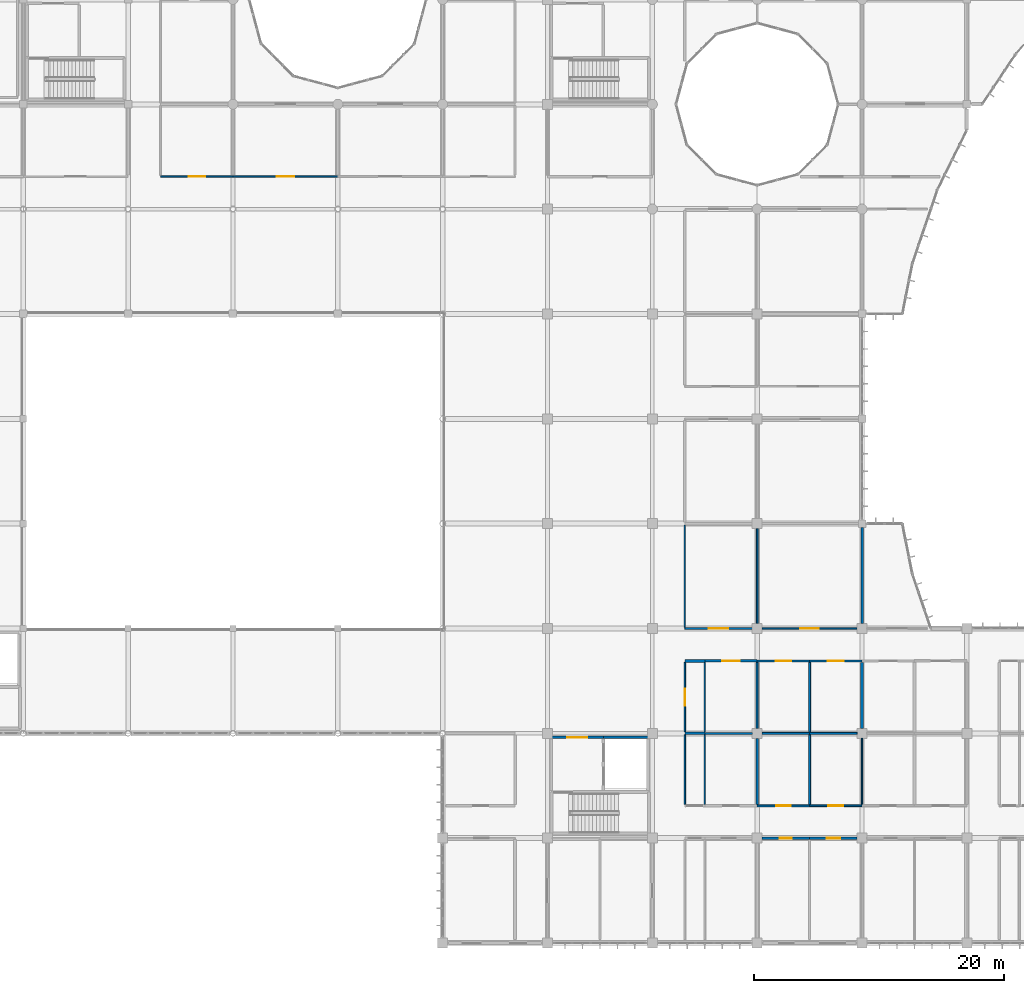
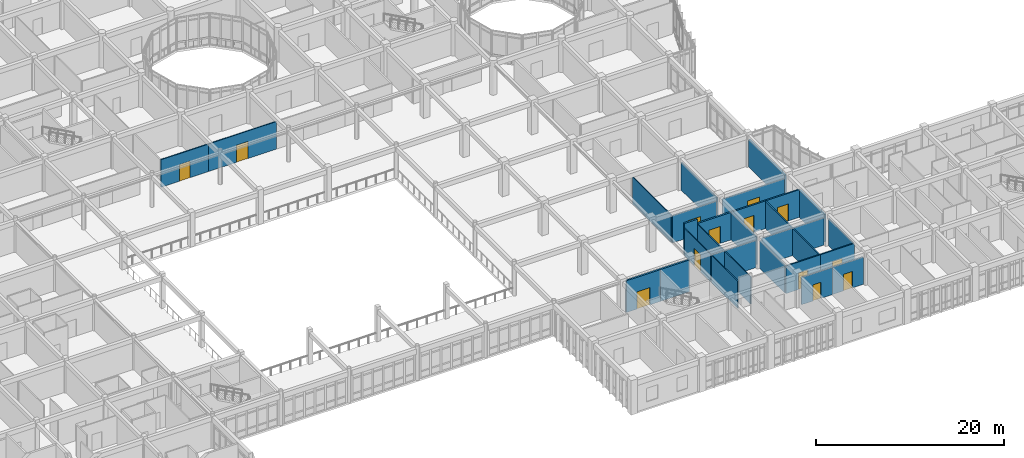
# One storey, part 104 of 144: 31 walls, 13 doors, 13 openings.
"""IFC4 building model written with IfcOpenShell, lengths in metres."""

from ifc_helpers import new_model, si_unit, direction, frame, frame_2d, origin, place, context, subcontext, project, spatial, rectangle, extrude, material, layer, layer_set, type_object, element, fill, save


model = new_model("IFC4")

# Units and contexts
model_context = context("Model", 3, precision=1e-05, world=origin(), true_north=direction((0.0, 1.0)))
body_context = subcontext(model_context, "Body", "Model", "MODEL_VIEW")
ifc_project = project(units=[si_unit("LENGTHUNIT", "METRE"), si_unit("AREAUNIT", "SQUARE_METRE"), si_unit("VOLUMEUNIT", "CUBIC_METRE"), si_unit("PLANEANGLEUNIT", "RADIAN"), si_unit("MASSUNIT", "GRAM", prefix="KILO")], contexts=[model_context])

# Site, building, storey
site_placement = place(None, origin())
site = spatial("IfcSite", under=ifc_project, at=site_placement, CompositionType="ELEMENT")
building_placement = place(site_placement, origin())
building = spatial("IfcBuilding", under=site, at=building_placement, Name="Bramfleet General Hospital", CompositionType="ELEMENT")
storey_placement = place(building_placement, frame((0.0, 0.0, 4.800048828125)))
storey = spatial("IfcBuildingStorey", under=building, at=storey_placement, Name="L01", CompositionType="ELEMENT", Elevation=4.800048828125)

# Walls
ifc_material_1 = material(Name="Concrete C35/45", Category="concrete")
ifc_layer_1 = layer(ifc_material_1, 0.219970703125, Name="WT-IW-01")
ifc_layer_set_1 = layer_set([ifc_layer_1], Name="Concrete C35/45")
wall_type_1 = type_object("IfcWallType", Name="WT-IW-01", PredefinedType="PARTITIONING", material=ifc_layer_set_1)
wall_1_placement = place(storey_placement, frame((111.800048828125, 22.60009765625, 0.0), z_axis=(0.0, 0.0, 1.0), x_axis=(1.0, 0.0, 0.0)))
element("IfcWall", 1, at=wall_1_placement, inside=storey, type_object=wall_type_1, Name="L01 Interior Partition IW-L01-1297", PredefinedType="PARTITIONING", context=body_context, shape_type="SweptSolid", body=[
    extrude(rectangle(XDim=1.599853515625, YDim=0.219970703125, at=frame_2d((0.7998046875, 0.0))), origin(), (0.0, 0.0, 1.0), 4.139892578125),
])
wall_2_placement = place(storey_placement, frame((126.0, 17.195068359375, 0.0), z_axis=(0.0, 0.0, 1.0), x_axis=(0.0, 1.0, 0.0)))
element("IfcWall", 2, at=wall_2_placement, inside=storey, type_object=wall_type_1, Name="L01 Interior Partition IW-L01-1861", PredefinedType="PARTITIONING", context=body_context, shape_type="SweptSolid", body=[
    extrude(rectangle(XDim=5.2900390625, YDim=0.219970703125, at=frame_2d((2.64501953125, 0.0))), origin(), (0.0, 0.0, 1.0), 3.58984375),
])
ifc_layer_2 = layer(ifc_material_1, 0.205078125, Name="WT-IW-02")
ifc_layer_set_2 = layer_set([ifc_layer_2], Name="Concrete C35/45")
wall_type_2 = type_object("IfcWallType", Name="WT-IW-02", PredefinedType="PARTITIONING", material=ifc_layer_set_2)
wall_3_placement = place(storey_placement, frame((105.280029296875, 16.47998046875, 0.0), z_axis=(0.0, 0.0, 1.0), x_axis=(1.0, 0.0, 0.0)))
element("IfcWall", 3, at=wall_3_placement, inside=storey, type_object=wall_type_2, Name="L01 C3 Lift Shaft North Wall", PredefinedType="PARTITIONING", context=body_context, shape_type="SweptSolid", body=[
    extrude(rectangle(XDim=3.570068359375, YDim=0.205078125, at=frame_2d((1.78515625, 0.0))), origin(), (0.0, 0.0, 1.0), 4.139892578125),
])

# Wall, opening, door
wall_4_placement = place(storey_placement, frame((101.10009765625, 16.47998046875, 0.0), z_axis=(0.0, 0.0, 1.0), x_axis=(1.0, 0.0, 0.0)))
wall_4 = element("IfcWall", 4, at=wall_4_placement, inside=storey, type_object=wall_type_2, Name="L01 C3 Lobby North Compartment Wall", PredefinedType="PARTITIONING", context=body_context, shape_type="SweptSolid", body=[
    extrude(rectangle(XDim=4.179931640625, YDim=0.205078125, at=frame_2d((2.08984375, 0.0))), origin(), (0.0, 0.0, 1.0), 4.139892578125),
])
opening_1_placement = place(wall_4_placement, frame((1.2900390625, 0.0, 0.0)))
opening_1 = element("IfcOpeningElement", 5, at=opening_1_placement, cuts=wall_4, Name="Opening D0024", PredefinedType="OPENING", context=body_context, shape_type="SweptSolid", body=[
    extrude(rectangle(XDim=1.60009765625, YDim=2.25, at=frame_2d((0.800048828125, 1.125))), frame((0.0, 0.112548828125, 0.0), z_axis=(0.0, -1.0, 0.0), x_axis=(1.0, 0.0, 0.0)), (0.0, 0.0, 1.0), 0.22509765625),
])
ifc_material_2 = material(Name="Stainless steel and acoustic timber leaf", Category="steel")
door_type_1 = type_object("IfcDoorType", Name="DR-D-04", OperationType="NOTDEFINED", PredefinedType="DOOR", material=ifc_material_2)
door_1_placement = place(opening_1_placement, origin())
door_1 = element("IfcDoor", 6, at=door_1_placement, inside=storey, type_object=door_type_1, Name="L01 C3 Lobby Fire Door D0024", OperationType="DOUBLE_SWING_LEFT", OverallHeight=2.25, OverallWidth=1.60009765625, PredefinedType="DOOR", context=body_context, shape_type="SweptSolid", body=[
    extrude(rectangle(XDim=1.60009765625, YDim=2.25, at=frame_2d((0.800048828125, 1.125))), frame((0.0, 0.02490234375, 0.0), z_axis=(0.0, -1.0, 0.0), x_axis=(1.0, 0.0, 0.0)), (0.0, 0.0, 1.0), 0.050048828125),
])
fill(opening_1, door_1)

wall_5_placement = place(storey_placement, frame((113.39990234375, 22.60009765625, 0.0), z_axis=(0.0, 0.0, 1.0), x_axis=(1.0, 0.0, 0.0)))
wall_5 = element("IfcWall", 7, at=wall_5_placement, inside=storey, type_object=wall_type_2, Name="L01 Interior Partition IW-L01-1298", PredefinedType="PARTITIONING", context=body_context, shape_type="SweptSolid", body=[
    extrude(rectangle(XDim=4.2001953125, YDim=0.205078125, at=frame_2d((2.10009765625, 0.0))), origin(), (0.0, 0.0, 1.0), 3.58984375),
])
opening_2_placement = place(wall_5_placement, frame((1.389892578125, 0.0, 0.0)))
opening_2 = element("IfcOpeningElement", 8, at=opening_2_placement, cuts=wall_5, Name="Opening D0767", PredefinedType="OPENING", context=body_context, shape_type="SweptSolid", body=[
    extrude(rectangle(XDim=1.419921875, YDim=2.219970703125, at=frame_2d((0.7099609375, 1.10986328125))), frame((0.0, 0.112548828125, 0.0), z_axis=(0.0, -1.0, 0.0), x_axis=(1.0, 0.0, 0.0)), (0.0, 0.0, 1.0), 0.22509765625),
])
door_type_2 = type_object("IfcDoorType", Name="DR-D-31", OperationType="NOTDEFINED", PredefinedType="DOOR", material=ifc_material_2)
door_2_placement = place(opening_2_placement, origin())
door_2 = element("IfcDoor", 9, at=door_2_placement, inside=storey, type_object=door_type_2, Name="Outpatient Consultation Room L01-1302B Door D0767", OperationType="SINGLE_SWING_RIGHT", OverallHeight=2.219970703125, OverallWidth=1.419921875, PredefinedType="DOOR", context=body_context, shape_type="SweptSolid", body=[
    extrude(rectangle(XDim=1.419921875, YDim=2.219970703125, at=frame_2d((0.7099609375, 1.10986328125))), frame((0.0, 0.02490234375, 0.0), z_axis=(0.0, -1.0, 0.0), x_axis=(1.0, 0.0, 0.0)), (0.0, 0.0, 1.0), 0.050048828125),
])
fill(opening_2, door_2)

# Wall
wall_6_placement = place(storey_placement, frame((126.0, 25.594970703125, 0.0), z_axis=(0.0, 0.0, 1.0), x_axis=(0.0, 1.0, 0.0)))
element("IfcWall", 10, at=wall_6_placement, inside=storey, type_object=wall_type_2, Name="L01 Interior Partition IW-L01-1862", PredefinedType="PARTITIONING", context=body_context, shape_type="SweptSolid", body=[
    extrude(rectangle(XDim=7.7099609375, YDim=0.205078125, at=frame_2d((3.85498046875, 0.0))), origin(), (0.0, 0.0, 1.0), 3.58984375),
])

# Wall, opening, door
ifc_layer_3 = layer(ifc_material_1, 0.18994140625, Name="WT-IW-03")
ifc_layer_set_3 = layer_set([ifc_layer_3], Name="Concrete C35/45")
wall_type_3 = type_object("IfcWallType", Name="WT-IW-03", PredefinedType="PARTITIONING", material=ifc_layer_set_3)
wall_7_placement = place(storey_placement, frame((117.60009765625, 22.60009765625, 0.0), z_axis=(0.0, 0.0, 1.0), x_axis=(1.0, 0.0, 0.0)))
wall_7 = element("IfcWall", 11, at=wall_7_placement, inside=storey, type_object=wall_type_3, Name="L01 Interior Partition IW-L01-1299", PredefinedType="PARTITIONING", context=body_context, shape_type="SweptSolid", body=[
    extrude(rectangle(XDim=4.199951171875, YDim=0.18994140625, at=frame_2d((2.10009765625, 0.0))), origin(), (0.0, 0.0, 1.0), 3.58984375),
])
opening_3_placement = place(wall_7_placement, frame((1.47509765625, 0.0, 0.0)))
opening_3 = element("IfcOpeningElement", 12, at=opening_3_placement, cuts=wall_7, Name="Opening D0782", PredefinedType="OPENING", context=body_context, shape_type="SweptSolid", body=[
    extrude(rectangle(XDim=1.25, YDim=2.199951171875, at=frame_2d((0.625, 1.10009765625))), frame((0.0, 0.10498046875, 0.0), z_axis=(0.0, -1.0, 0.0), x_axis=(1.0, 0.0, 0.0)), (0.0, 0.0, 1.0), 0.2099609375),
])
door_type_3 = type_object("IfcDoorType", Name="DR-D-14", OperationType="NOTDEFINED", PredefinedType="DOOR", material=ifc_material_2)
door_3_placement = place(opening_3_placement, origin())
door_3 = element("IfcDoor", 13, at=door_3_placement, inside=storey, type_object=door_type_3, Name="Outpatient Specialist Clinic L01-1402A Door D0782", OperationType="SINGLE_SWING_LEFT", OverallHeight=2.199951171875, OverallWidth=1.25, PredefinedType="DOOR", context=body_context, shape_type="SweptSolid", body=[
    extrude(rectangle(XDim=1.25, YDim=2.199951171875, at=frame_2d((0.625, 1.10009765625))), frame((0.0, 0.02490234375, 0.0), z_axis=(0.0, -1.0, 0.0), x_axis=(1.0, 0.0, 0.0)), (0.0, 0.0, 1.0), 0.050048828125),
])
fill(opening_3, door_3)

ifc_layer_4 = layer(ifc_material_1, 0.179931640625, Name="WT-IW-04")
ifc_layer_set_4 = layer_set([ifc_layer_4], Name="Concrete C35/45")
wall_type_4 = type_object("IfcWallType", Name="WT-IW-04", PredefinedType="PARTITIONING", material=ifc_layer_set_4)
wall_8_placement = place(storey_placement, frame((117.9951171875, 8.39990234375, 0.0), z_axis=(0.0, 0.0, 1.0), x_axis=(1.0, 0.0, 0.0)))
wall_8 = element("IfcWall", 14, at=wall_8_placement, inside=storey, type_object=wall_type_4, Name="L01 Interior Partition IW-L01-1216", PredefinedType="PARTITIONING", context=body_context, shape_type="SweptSolid", body=[
    extrude(rectangle(XDim=3.804931640625, YDim=0.179931640625, at=frame_2d((1.90234375, 0.0))), origin(), (0.0, 0.0, 1.0), 3.5400390625),
])
opening_4_placement = place(wall_8_placement, frame((1.427490234375, 0.0, 0.0)))
opening_4 = element("IfcOpeningElement", 15, at=opening_4_placement, cuts=wall_8, Name="Opening D0778", PredefinedType="OPENING", context=body_context, shape_type="SweptSolid", body=[
    extrude(rectangle(XDim=0.949951171875, YDim=2.10009765625, at=frame_2d((0.47509765625, 1.050048828125))), frame((0.0, 0.099853515625, 0.0), z_axis=(0.0, -1.0, 0.0), x_axis=(1.0, 0.0, 0.0)), (0.0, 0.0, 1.0), 0.199951171875),
])
door_type_4 = type_object("IfcDoorType", Name="DR-D-10", OperationType="NOTDEFINED", PredefinedType="DOOR", material=ifc_material_2)
door_4_placement = place(opening_4_placement, origin())
door_4 = element("IfcDoor", 16, at=door_4_placement, inside=storey, type_object=door_type_4, Name="Outpatient Specialist Clinic L01-1400A Door D0778", OperationType="SINGLE_SWING_LEFT", OverallHeight=2.10009765625, OverallWidth=0.949951171875, PredefinedType="DOOR", context=body_context, shape_type="SweptSolid", body=[
    extrude(rectangle(XDim=0.949951171875, YDim=2.10009765625, at=frame_2d((0.47509765625, 1.050048828125))), frame((0.0, 0.02490234375, 0.0), z_axis=(0.0, -1.0, 0.0), x_axis=(1.0, 0.0, 0.0)), (0.0, 0.0, 1.0), 0.050048828125),
])
fill(opening_4, door_4)

# Wall
wall_9_placement = place(storey_placement, frame((111.800048828125, 16.800048828125, 0.0), z_axis=(0.0, 0.0, 1.0), x_axis=(1.0, 0.0, 0.0)))
element("IfcWall", 17, at=wall_9_placement, inside=storey, type_object=wall_type_4, Name="L01 Interior Partition IW-L01-1264", PredefinedType="PARTITIONING", context=body_context, shape_type="SweptSolid", body=[
    extrude(rectangle(XDim=1.599853515625, YDim=0.179931640625, at=frame_2d((0.7998046875, 0.0))), origin(), (0.0, 0.0, 1.0), 3.5400390625),
])

# Wall, opening, door
wall_10_placement = place(storey_placement, frame((121.800048828125, 22.60009765625, 0.0), z_axis=(0.0, 0.0, 1.0), x_axis=(1.0, 0.0, 0.0)))
wall_10 = element("IfcWall", 18, at=wall_10_placement, inside=storey, type_object=wall_type_4, Name="L01 Interior Partition IW-L01-1300", PredefinedType="PARTITIONING", context=body_context, shape_type="SweptSolid", body=[
    extrude(rectangle(XDim=4.199951171875, YDim=0.179931640625, at=frame_2d((2.10009765625, 0.0))), origin(), (0.0, 0.0, 1.0), 3.58984375),
])
opening_5_placement = place(wall_10_placement, frame((1.449951171875, 0.0, 0.0)))
opening_5 = element("IfcOpeningElement", 19, at=opening_5_placement, cuts=wall_10, Name="Opening D0783", PredefinedType="OPENING", context=body_context, shape_type="SweptSolid", body=[
    extrude(rectangle(XDim=1.300048828125, YDim=2.199951171875, at=frame_2d((0.64990234375, 1.10009765625))), frame((0.0, 0.099853515625, 0.0), z_axis=(0.0, -1.0, 0.0), x_axis=(1.0, 0.0, 0.0)), (0.0, 0.0, 1.0), 0.199951171875),
])
door_type_5 = type_object("IfcDoorType", Name="DR-D-15", OperationType="NOTDEFINED", PredefinedType="DOOR", material=ifc_material_2)
door_5_placement = place(opening_5_placement, origin())
door_5 = element("IfcDoor", 20, at=door_5_placement, inside=storey, type_object=door_type_5, Name="Outpatient Consultation Room L01-1402B Door D0783", OperationType="SINGLE_SWING_RIGHT", OverallHeight=2.199951171875, OverallWidth=1.300048828125, PredefinedType="DOOR", context=body_context, shape_type="SweptSolid", body=[
    extrude(rectangle(XDim=1.300048828125, YDim=2.199951171875, at=frame_2d((0.64990234375, 1.10009765625))), frame((0.0, 0.02490234375, 0.0), z_axis=(0.0, -1.0, 0.0), x_axis=(1.0, 0.0, 0.0)), (0.0, 0.0, 1.0), 0.050048828125),
])
fill(opening_5, door_5)

ifc_material_3 = material(Name="Gypsum plasterboard on acoustic steel studs", Category="steel")
ifc_layer_5 = layer(ifc_material_3, 0.169921875, Name="WT-IW-05")
ifc_layer_set_5 = layer_set([ifc_layer_5], Name="Gypsum plasterboard on acoustic steel studs")
wall_type_5 = type_object("IfcWallType", Name="WT-IW-05", PredefinedType="PARTITIONING", material=ifc_layer_set_5)
wall_11_placement = place(storey_placement, frame((121.800048828125, 8.39990234375, 0.0), z_axis=(0.0, 0.0, 1.0), x_axis=(1.0, 0.0, 0.0)))
wall_11 = element("IfcWall", 21, at=wall_11_placement, inside=storey, type_object=wall_type_5, Name="L01 Interior Partition IW-L01-1217", PredefinedType="PARTITIONING", context=body_context, shape_type="SweptSolid", body=[
    extrude(rectangle(XDim=3.804931640625, YDim=0.169921875, at=frame_2d((1.90234375, 0.0))), origin(), (0.0, 0.0, 1.0), 3.5400390625),
])
opening_6_placement = place(wall_11_placement, frame((1.3525390625, 0.0, 0.0)))
opening_6 = element("IfcOpeningElement", 22, at=opening_6_placement, cuts=wall_11, Name="Opening D0779", PredefinedType="OPENING", context=body_context, shape_type="SweptSolid", body=[
    extrude(rectangle(XDim=1.10009765625, YDim=2.14990234375, at=frame_2d((0.550048828125, 1.074951171875))), frame((0.0, 0.094970703125, 0.0), z_axis=(0.0, -1.0, 0.0), x_axis=(1.0, 0.0, 0.0)), (0.0, 0.0, 1.0), 0.18994140625),
])
door_type_6 = type_object("IfcDoorType", Name="DR-D-11", OperationType="NOTDEFINED", PredefinedType="DOOR", material=ifc_material_2)
door_6_placement = place(opening_6_placement, origin())
door_6 = element("IfcDoor", 23, at=door_6_placement, inside=storey, type_object=door_type_6, Name="Outpatient Consultation Room L01-1400B Door D0779", OperationType="SINGLE_SWING_RIGHT", OverallHeight=2.14990234375, OverallWidth=1.10009765625, PredefinedType="DOOR", context=body_context, shape_type="SweptSolid", body=[
    extrude(rectangle(XDim=1.10009765625, YDim=2.14990234375, at=frame_2d((0.550048828125, 1.074951171875))), frame((0.0, 0.02490234375, 0.0), z_axis=(0.0, -1.0, 0.0), x_axis=(1.0, 0.0, 0.0)), (0.0, 0.0, 1.0), 0.050048828125),
])
fill(opening_6, door_6)

# Walls
wall_12_placement = place(storey_placement, frame((113.39990234375, 16.800048828125, 0.0), z_axis=(0.0, 0.0, 1.0), x_axis=(1.0, 0.0, 0.0)))
element("IfcWall", 24, at=wall_12_placement, inside=storey, type_object=wall_type_5, Name="L01 Interior Partition IW-L01-1265", PredefinedType="PARTITIONING", context=body_context, shape_type="SweptSolid", body=[
    extrude(rectangle(XDim=3.80517578125, YDim=0.169921875, at=frame_2d((1.902587890625, 0.0))), origin(), (0.0, 0.0, 1.0), 3.5400390625),
])
wall_13_placement = place(storey_placement, frame((117.60009765625, 11.114990234375, 0.0), z_axis=(0.0, 0.0, 1.0), x_axis=(0.0, 1.0, 0.0)))
element("IfcWall", 25, at=wall_13_placement, inside=storey, type_object=wall_type_5, Name="L01 Interior Partition IW-L01-1841", PredefinedType="PARTITIONING", context=body_context, shape_type="SweptSolid", body=[
    extrude(rectangle(XDim=5.2900390625, YDim=0.169921875, at=frame_2d((2.64501953125, 0.0))), origin(), (0.0, 0.0, 1.0), 3.58984375),
])

# Wall, opening, door
ifc_layer_6 = layer(ifc_material_3, 0.159912109375, Name="WT-IW-06")
ifc_layer_set_6 = layer_set([ifc_layer_6], Name="Gypsum plasterboard on acoustic steel studs")
wall_type_6 = type_object("IfcWallType", Name="WT-IW-06", PredefinedType="PARTITIONING", material=ifc_layer_set_6)
wall_14_placement = place(storey_placement, frame((117.60009765625, 11.0, 0.0), z_axis=(0.0, 0.0, 1.0), x_axis=(1.0, 0.0, 0.0)))
wall_14 = element("IfcWall", 26, at=wall_14_placement, inside=storey, type_object=wall_type_6, Name="L01 Interior Partition IW-L01-1242", PredefinedType="PARTITIONING", context=body_context, shape_type="SweptSolid", body=[
    extrude(rectangle(XDim=4.199951171875, YDim=0.159912109375, at=frame_2d((2.10009765625, 0.0))), origin(), (0.0, 0.0, 1.0), 3.58984375),
])
opening_7_placement = place(wall_14_placement, frame((1.52490234375, 0.0, 0.0)))
opening_7 = element("IfcOpeningElement", 27, at=opening_7_placement, cuts=wall_14, Name="Opening D0780", PredefinedType="OPENING", context=body_context, shape_type="SweptSolid", body=[
    extrude(rectangle(XDim=1.14990234375, YDim=2.14990234375, at=frame_2d((0.574951171875, 1.074951171875))), frame((0.0, 0.08984375, 0.0), z_axis=(0.0, -1.0, 0.0), x_axis=(1.0, 0.0, 0.0)), (0.0, 0.0, 1.0), 0.179931640625),
])
door_type_7 = type_object("IfcDoorType", Name="DR-D-12", OperationType="NOTDEFINED", PredefinedType="DOOR", material=ifc_material_2)
door_7_placement = place(opening_7_placement, origin())
door_7 = element("IfcDoor", 28, at=door_7_placement, inside=storey, type_object=door_type_7, Name="Outpatient Specialist Clinic L01-1401A Door D0780", OperationType="SINGLE_SWING_LEFT", OverallHeight=2.14990234375, OverallWidth=1.14990234375, PredefinedType="DOOR", context=body_context, shape_type="SweptSolid", body=[
    extrude(rectangle(XDim=1.14990234375, YDim=2.14990234375, at=frame_2d((0.574951171875, 1.074951171875))), frame((0.0, 0.02490234375, 0.0), z_axis=(0.0, -1.0, 0.0), x_axis=(1.0, 0.0, 0.0)), (0.0, 0.0, 1.0), 0.050048828125),
])
fill(opening_7, door_7)

# Walls
wall_15_placement = place(storey_placement, frame((117.9951171875, 16.800048828125, 0.0), z_axis=(0.0, 0.0, 1.0), x_axis=(1.0, 0.0, 0.0)))
element("IfcWall", 29, at=wall_15_placement, inside=storey, type_object=wall_type_6, Name="L01 Interior Partition IW-L01-1266", PredefinedType="PARTITIONING", context=body_context, shape_type="SweptSolid", body=[
    extrude(rectangle(XDim=3.804931640625, YDim=0.159912109375, at=frame_2d((1.90234375, 0.0))), origin(), (0.0, 0.0, 1.0), 3.5400390625),
])
wall_16_placement = place(storey_placement, frame((117.60009765625, 17.195068359375, 0.0), z_axis=(0.0, 0.0, 1.0), x_axis=(0.0, 1.0, 0.0)))
element("IfcWall", 30, at=wall_16_placement, inside=storey, type_object=wall_type_6, Name="L01 Interior Partition IW-L01-1842", PredefinedType="PARTITIONING", context=body_context, shape_type="SweptSolid", body=[
    extrude(rectangle(XDim=5.2900390625, YDim=0.159912109375, at=frame_2d((2.64501953125, 0.0))), origin(), (0.0, 0.0, 1.0), 3.58984375),
])
wall_17_placement = place(storey_placement, frame((121.800048828125, 11.114990234375, 0.0), z_axis=(0.0, 0.0, 1.0), x_axis=(0.0, 1.0, 0.0)))
element("IfcWall", 31, at=wall_17_placement, inside=storey, type_object=wall_type_6, Name="L01 Interior Partition IW-L01-1854", PredefinedType="PARTITIONING", context=body_context, shape_type="SweptSolid", body=[
    extrude(rectangle(XDim=5.570068359375, YDim=0.159912109375, at=frame_2d((2.78515625, 0.0))), origin(), (0.0, 0.0, 1.0), 3.5400390625),
])

# Wall, opening, door
ifc_layer_7 = layer(ifc_material_3, 0.14990234375, Name="WT-IW-07")
ifc_layer_set_7 = layer_set([ifc_layer_7], Name="Gypsum plasterboard on acoustic steel studs")
wall_type_7 = type_object("IfcWallType", Name="WT-IW-07", PredefinedType="PARTITIONING", material=ifc_layer_set_7)
wall_18_placement = place(storey_placement, frame((121.800048828125, 11.0, 0.0), z_axis=(0.0, 0.0, 1.0), x_axis=(1.0, 0.0, 0.0)))
wall_18 = element("IfcWall", 32, at=wall_18_placement, inside=storey, type_object=wall_type_7, Name="L01 Interior Partition IW-L01-1243", PredefinedType="PARTITIONING", context=body_context, shape_type="SweptSolid", body=[
    extrude(rectangle(XDim=4.199951171875, YDim=0.14990234375, at=frame_2d((2.10009765625, 0.0))), origin(), (0.0, 0.0, 1.0), 3.58984375),
])
opening_8_placement = place(wall_18_placement, frame((1.5, 0.0, 0.0)))
opening_8 = element("IfcOpeningElement", 33, at=opening_8_placement, cuts=wall_18, Name="Opening D0781", PredefinedType="OPENING", context=body_context, shape_type="SweptSolid", body=[
    extrude(rectangle(XDim=1.199951171875, YDim=2.14990234375, at=frame_2d((0.60009765625, 1.074951171875))), frame((0.0, 0.0849609375, 0.0), z_axis=(0.0, -1.0, 0.0), x_axis=(1.0, 0.0, 0.0)), (0.0, 0.0, 1.0), 0.169921875),
])
door_type_8 = type_object("IfcDoorType", Name="DR-D-13", OperationType="NOTDEFINED", PredefinedType="DOOR", material=ifc_material_2)
door_8_placement = place(opening_8_placement, origin())
door_8 = element("IfcDoor", 34, at=door_8_placement, inside=storey, type_object=door_type_8, Name="Outpatient Consultation Room L01-1401B Door D0781", OperationType="SINGLE_SWING_RIGHT", OverallHeight=2.14990234375, OverallWidth=1.199951171875, PredefinedType="DOOR", context=body_context, shape_type="SweptSolid", body=[
    extrude(rectangle(XDim=1.199951171875, YDim=2.14990234375, at=frame_2d((0.60009765625, 1.074951171875))), frame((0.0, 0.02490234375, 0.0), z_axis=(0.0, -1.0, 0.0), x_axis=(1.0, 0.0, 0.0)), (0.0, 0.0, 1.0), 0.050048828125),
])
fill(opening_8, door_8)

# Walls
wall_19_placement = place(storey_placement, frame((121.800048828125, 16.800048828125, 0.0), z_axis=(0.0, 0.0, 1.0), x_axis=(1.0, 0.0, 0.0)))
element("IfcWall", 35, at=wall_19_placement, inside=storey, type_object=wall_type_7, Name="L01 Interior Partition IW-L01-1267", PredefinedType="PARTITIONING", context=body_context, shape_type="SweptSolid", body=[
    extrude(rectangle(XDim=3.804931640625, YDim=0.14990234375, at=frame_2d((1.90234375, 0.0))), origin(), (0.0, 0.0, 1.0), 3.5400390625),
])
wall_20_placement = place(storey_placement, frame((117.60009765625, 25.594970703125, 0.0), z_axis=(0.0, 0.0, 1.0), x_axis=(0.0, 1.0, 0.0)))
element("IfcWall", 36, at=wall_20_placement, inside=storey, type_object=wall_type_7, Name="L01 Interior Partition IW-L01-1843", PredefinedType="PARTITIONING", context=body_context, shape_type="SweptSolid", body=[
    extrude(rectangle(XDim=7.610107421875, YDim=0.14990234375, at=frame_2d((3.80517578125, 0.0))), origin(), (0.0, 0.0, 1.0), 3.58984375),
])
wall_21_placement = place(storey_placement, frame((121.800048828125, 16.9150390625, 0.0), z_axis=(0.0, 0.0, 1.0), x_axis=(0.0, 1.0, 0.0)))
element("IfcWall", 37, at=wall_21_placement, inside=storey, type_object=wall_type_7, Name="L01 Interior Partition IW-L01-1855", PredefinedType="PARTITIONING", context=body_context, shape_type="SweptSolid", body=[
    extrude(rectangle(XDim=5.570068359375, YDim=0.14990234375, at=frame_2d((2.78515625, 0.0))), origin(), (0.0, 0.0, 1.0), 3.5400390625),
])

# Wall, opening, door
ifc_layer_8 = layer(ifc_material_3, 0.1298828125, Name="WT-IW-09")
ifc_layer_set_8 = layer_set([ifc_layer_8], Name="Gypsum plasterboard on acoustic steel studs")
wall_type_8 = type_object("IfcWallType", Name="WT-IW-09", PredefinedType="PARTITIONING", material=ifc_layer_set_8)
wall_22_placement = place(storey_placement, frame((111.800048828125, 25.199951171875, 0.0), z_axis=(0.0, 0.0, 1.0), x_axis=(1.0, 0.0, 0.0)))
wall_22 = element("IfcWall", 38, at=wall_22_placement, inside=storey, type_object=wall_type_8, Name="L01 Interior Partition IW-L01-1317", PredefinedType="PARTITIONING", context=body_context, shape_type="SweptSolid", body=[
    extrude(rectangle(XDim=5.405029296875, YDim=0.1298828125, at=frame_2d((2.70263671875, 0.0))), origin(), (0.0, 0.0, 1.0), 3.5400390625),
])
opening_9_placement = place(wall_22_placement, frame((1.91259765625, 0.0, 0.0)))
opening_9 = element("IfcOpeningElement", 39, at=opening_9_placement, cuts=wall_22, Name="Opening D0768", PredefinedType="OPENING", context=body_context, shape_type="SweptSolid", body=[
    extrude(rectangle(XDim=1.580078125, YDim=2.219970703125, at=frame_2d((0.7900390625, 1.10986328125))), frame((0.0, 0.074951171875, 0.0), z_axis=(0.0, -1.0, 0.0), x_axis=(1.0, 0.0, 0.0)), (0.0, 0.0, 1.0), 0.14990234375),
])
door_type_9 = type_object("IfcDoorType", Name="DR-D-32", OperationType="NOTDEFINED", PredefinedType="DOOR", material=ifc_material_2)
door_9_placement = place(opening_9_placement, origin())
door_9 = element("IfcDoor", 40, at=door_9_placement, inside=storey, type_object=door_type_9, Name="Pathology and Clinical Laboratory L01-1303A Door D0768", OperationType="DOUBLE_SWING_LEFT", OverallHeight=2.219970703125, OverallWidth=1.580078125, PredefinedType="DOOR", context=body_context, shape_type="SweptSolid", body=[
    extrude(rectangle(XDim=1.580078125, YDim=2.219970703125, at=frame_2d((0.7900390625, 1.10986328125))), frame((0.0, 0.02490234375, 0.0), z_axis=(0.0, -1.0, 0.0), x_axis=(1.0, 0.0, 0.0)), (0.0, 0.0, 1.0), 0.050048828125),
])
fill(opening_9, door_9)

wall_23_placement = place(storey_placement, frame((69.800048828125, 61.39990234375, 0.0), z_axis=(0.0, 0.0, 1.0), x_axis=(1.0, 0.0, 0.0)))
wall_23 = element("IfcWall", 41, at=wall_23_placement, inside=storey, type_object=wall_type_8, Name="L01 Interior Partition IW-L01-1401", PredefinedType="PARTITIONING", context=body_context, shape_type="SweptSolid", body=[
    extrude(rectangle(XDim=5.800048828125, YDim=0.1298828125, at=frame_2d((2.89990234375, 0.0))), origin(), (0.0, 0.0, 1.0), 3.58984375),
])
opening_10_placement = place(wall_23_placement, frame((2.239990234375, 0.0, 0.0)))
opening_10 = element("IfcOpeningElement", 42, at=opening_10_placement, cuts=wall_23, Name="Opening D0728", PredefinedType="OPENING", context=body_context, shape_type="SweptSolid", body=[
    extrude(rectangle(XDim=1.320068359375, YDim=2.179931640625, at=frame_2d((0.66015625, 1.08984375))), frame((0.0, 0.074951171875, 0.0), z_axis=(0.0, -1.0, 0.0), x_axis=(1.0, 0.0, 0.0)), (0.0, 0.0, 1.0), 0.14990234375),
])
door_type_10 = type_object("IfcDoorType", Name="DR-D-24", OperationType="NOTDEFINED", PredefinedType="DOOR", material=ifc_material_2)
door_10_placement = place(opening_10_placement, origin())
door_10 = element("IfcDoor", 43, at=door_10_placement, inside=storey, type_object=door_type_10, Name="Pathology and Clinical Laboratory L01-0807A Door D0728", OperationType="SINGLE_SWING_LEFT", OverallHeight=2.179931640625, OverallWidth=1.320068359375, PredefinedType="DOOR", context=body_context, shape_type="SweptSolid", body=[
    extrude(rectangle(XDim=1.320068359375, YDim=2.179931640625, at=frame_2d((0.66015625, 1.08984375))), frame((0.0, 0.02490234375, 0.0), z_axis=(0.0, -1.0, 0.0), x_axis=(1.0, 0.0, 0.0)), (0.0, 0.0, 1.0), 0.050048828125),
])
fill(opening_10, door_10)

ifc_layer_9 = layer(ifc_material_3, 0.1201171875, Name="WT-IW-10")
ifc_layer_set_9 = layer_set([ifc_layer_9], Name="Gypsum plasterboard on acoustic steel studs")
wall_type_9 = type_object("IfcWallType", Name="WT-IW-10", PredefinedType="PARTITIONING", material=ifc_layer_set_9)
wall_24_placement = place(storey_placement, frame((117.9951171875, 25.199951171875, 0.0), z_axis=(0.0, 0.0, 1.0), x_axis=(1.0, 0.0, 0.0)))
wall_24 = element("IfcWall", 44, at=wall_24_placement, inside=storey, type_object=wall_type_9, Name="L01 Interior Partition IW-L01-1318", PredefinedType="PARTITIONING", context=body_context, shape_type="SweptSolid", body=[
    extrude(rectangle(XDim=7.60986328125, YDim=0.1201171875, at=frame_2d((3.804931640625, 0.0))), origin(), (0.0, 0.0, 1.0), 3.5400390625),
])
opening_11_placement = place(wall_24_placement, frame((3.06494140625, 0.0, 0.0)))
opening_11 = element("IfcOpeningElement", 45, at=opening_11_placement, cuts=wall_24, Name="Opening D0784", PredefinedType="OPENING", context=body_context, shape_type="SweptSolid", body=[
    extrude(rectangle(XDim=1.47998046875, YDim=2.219970703125, at=frame_2d((0.739990234375, 1.10986328125))), frame((0.0, 0.070068359375, 0.0), z_axis=(0.0, -1.0, 0.0), x_axis=(1.0, 0.0, 0.0)), (0.0, 0.0, 1.0), 0.14013671875),
])
door_type_11 = type_object("IfcDoorType", Name="DR-D-16", OperationType="NOTDEFINED", PredefinedType="DOOR", material=ifc_material_2)
door_11_placement = place(opening_11_placement, origin())
door_11 = element("IfcDoor", 46, at=door_11_placement, inside=storey, type_object=door_type_11, Name="Pathology and Clinical Laboratory L01-1403A Door D0784", OperationType="SINGLE_SWING_LEFT", OverallHeight=2.219970703125, OverallWidth=1.47998046875, PredefinedType="DOOR", context=body_context, shape_type="SweptSolid", body=[
    extrude(rectangle(XDim=1.47998046875, YDim=2.219970703125, at=frame_2d((0.739990234375, 1.10986328125))), frame((0.0, 0.02490234375, 0.0), z_axis=(0.0, -1.0, 0.0), x_axis=(1.0, 0.0, 0.0)), (0.0, 0.0, 1.0), 0.050048828125),
])
fill(opening_11, door_11)

wall_25_placement = place(storey_placement, frame((75.60009765625, 61.39990234375, 0.0), z_axis=(0.0, 0.0, 1.0), x_axis=(1.0, 0.0, 0.0)))
wall_25 = element("IfcWall", 47, at=wall_25_placement, inside=storey, type_object=wall_type_9, Name="L01 Interior Partition IW-L01-1402", PredefinedType="PARTITIONING", context=body_context, shape_type="SweptSolid", body=[
    extrude(rectangle(XDim=8.39990234375, YDim=0.1201171875, at=frame_2d((4.199951171875, 0.0))), origin(), (0.0, 0.0, 1.0), 3.58984375),
])
opening_12_placement = place(wall_25_placement, frame((3.489990234375, 0.0, 0.0)))
opening_12 = element("IfcOpeningElement", 48, at=opening_12_placement, cuts=wall_25, Name="Opening D0735", PredefinedType="OPENING", context=body_context, shape_type="SweptSolid", body=[
    extrude(rectangle(XDim=1.419921875, YDim=2.219970703125, at=frame_2d((0.7099609375, 1.10986328125))), frame((0.0, 0.070068359375, 0.0), z_axis=(0.0, -1.0, 0.0), x_axis=(1.0, 0.0, 0.0)), (0.0, 0.0, 1.0), 0.14013671875),
])
door_12_placement = place(opening_12_placement, origin())
door_12 = element("IfcDoor", 49, at=door_12_placement, inside=storey, type_object=door_type_2, Name="Pathology and Clinical Laboratory L01-0907A Door D0735", OperationType="SINGLE_SWING_RIGHT", OverallHeight=2.219970703125, OverallWidth=1.419921875, PredefinedType="DOOR", context=body_context, shape_type="SweptSolid", body=[
    extrude(rectangle(XDim=1.419921875, YDim=2.219970703125, at=frame_2d((0.7099609375, 1.10986328125))), frame((0.0, 0.02490234375, 0.0), z_axis=(0.0, -1.0, 0.0), x_axis=(1.0, 0.0, 0.0)), (0.0, 0.0, 1.0), 0.050048828125),
])
fill(opening_12, door_12)

# Wall
wall_26_placement = place(storey_placement, frame((111.800048828125, 11.114990234375, 0.0), z_axis=(0.0, 0.0, 1.0), x_axis=(0.0, 1.0, 0.0)))
element("IfcWall", 50, at=wall_26_placement, inside=storey, type_object=wall_type_9, Name="L01 Interior Partition IW-L01-1822", PredefinedType="PARTITIONING", context=body_context, shape_type="SweptSolid", body=[
    extrude(rectangle(XDim=5.570068359375, YDim=0.1201171875, at=frame_2d((2.78515625, 0.0))), origin(), (0.0, 0.0, 1.0), 3.5400390625),
])

# Wall, opening, door
ifc_layer_10 = layer(ifc_material_3, 0.112060546875, Name="WT-IW-11")
ifc_layer_set_10 = layer_set([ifc_layer_10], Name="Gypsum plasterboard on acoustic steel studs")
wall_type_10 = type_object("IfcWallType", Name="WT-IW-11", PredefinedType="PARTITIONING", material=ifc_layer_set_10)
wall_27_placement = place(storey_placement, frame((111.800048828125, 16.9150390625, 0.0), z_axis=(0.0, 0.0, 1.0), x_axis=(0.0, 1.0, 0.0)))
wall_27 = element("IfcWall", 51, at=wall_27_placement, inside=storey, type_object=wall_type_10, Name="L01 Interior Partition IW-L01-1823", PredefinedType="PARTITIONING", context=body_context, shape_type="SweptSolid", body=[
    extrude(rectangle(XDim=5.570068359375, YDim=0.112060546875, at=frame_2d((2.78515625, 0.0))), origin(), (0.0, 0.0, 1.0), 3.5400390625),
])
opening_13_placement = place(wall_27_placement, frame((2.094970703125, 0.0, 0.0)))
opening_13 = element("IfcOpeningElement", 52, at=opening_13_placement, cuts=wall_27, Name="Opening D0766", PredefinedType="OPENING", context=body_context, shape_type="SweptSolid", body=[
    extrude(rectangle(XDim=1.3798828125, YDim=2.219970703125, at=frame_2d((0.68994140625, 1.10986328125))), frame((0.0, 0.06591796875, 0.0), z_axis=(0.0, -1.0, 0.0), x_axis=(1.0, 0.0, 0.0)), (0.0, 0.0, 1.0), 0.132080078125),
])
door_type_12 = type_object("IfcDoorType", Name="DR-D-30", OperationType="NOTDEFINED", PredefinedType="DOOR", material=ifc_material_2)
door_13_placement = place(opening_13_placement, origin())
door_13 = element("IfcDoor", 53, at=door_13_placement, inside=storey, type_object=door_type_12, Name="Outpatient Specialist Clinic L01-1302A Door D0766", OperationType="SINGLE_SWING_LEFT", OverallHeight=2.219970703125, OverallWidth=1.3798828125, PredefinedType="DOOR", context=body_context, shape_type="SweptSolid", body=[
    extrude(rectangle(XDim=1.3798828125, YDim=2.219970703125, at=frame_2d((0.68994140625, 1.10986328125))), frame((0.0, 0.02490234375, 0.0), z_axis=(0.0, -1.0, 0.0), x_axis=(1.0, 0.0, 0.0)), (0.0, 0.0, 1.0), 0.050048828125),
])
fill(opening_13, door_13)

# Walls
wall_28_placement = place(storey_placement, frame((113.39990234375, 11.114990234375, 0.0), z_axis=(0.0, 0.0, 1.0), x_axis=(0.0, 1.0, 0.0)))
element("IfcWall", 54, at=wall_28_placement, inside=storey, type_object=wall_type_10, Name="L01 Interior Partition IW-L01-1835", PredefinedType="PARTITIONING", context=body_context, shape_type="SweptSolid", body=[
    extrude(rectangle(XDim=5.570068359375, YDim=0.112060546875, at=frame_2d((2.78515625, 0.0))), origin(), (0.0, 0.0, 1.0), 3.5400390625),
])
ifc_layer_11 = layer(ifc_material_3, 0.10009765625, Name="WT-IW-12")
ifc_layer_set_11 = layer_set([ifc_layer_11], Name="Gypsum plasterboard on acoustic steel studs")
wall_type_11 = type_object("IfcWallType", Name="WT-IW-12", PredefinedType="PARTITIONING", material=ifc_layer_set_11)
wall_29_placement = place(storey_placement, frame((111.800048828125, 25.31494140625, 0.0), z_axis=(0.0, 0.0, 1.0), x_axis=(0.0, 1.0, 0.0)))
element("IfcWall", 55, at=wall_29_placement, inside=storey, type_object=wall_type_11, Name="L01 Interior Partition IW-L01-1824", PredefinedType="PARTITIONING", context=body_context, shape_type="SweptSolid", body=[
    extrude(rectangle(XDim=8.170166015625, YDim=0.10009765625, at=frame_2d((4.0849609375, 0.0))), origin(), (0.0, 0.0, 1.0), 3.5400390625),
])
wall_30_placement = place(storey_placement, frame((113.39990234375, 16.9150390625, 0.0), z_axis=(0.0, 0.0, 1.0), x_axis=(0.0, 1.0, 0.0)))
element("IfcWall", 56, at=wall_30_placement, inside=storey, type_object=wall_type_11, Name="L01 Interior Partition IW-L01-1836", PredefinedType="PARTITIONING", context=body_context, shape_type="SweptSolid", body=[
    extrude(rectangle(XDim=5.570068359375, YDim=0.10009765625, at=frame_2d((2.78515625, 0.0))), origin(), (0.0, 0.0, 1.0), 3.5400390625),
])
wall_31_placement = place(storey_placement, frame((126.0, 11.114990234375, 0.0), z_axis=(0.0, 0.0, 1.0), x_axis=(0.0, 1.0, 0.0)))
element("IfcWall", 57, at=wall_31_placement, inside=storey, type_object=wall_type_11, Name="L01 Interior Partition IW-L01-1860", PredefinedType="PARTITIONING", context=body_context, shape_type="SweptSolid", body=[
    extrude(rectangle(XDim=5.2900390625, YDim=0.10009765625, at=frame_2d((2.64501953125, 0.0))), origin(), (0.0, 0.0, 1.0), 3.58984375),
])

save(model, "model.ifc")
